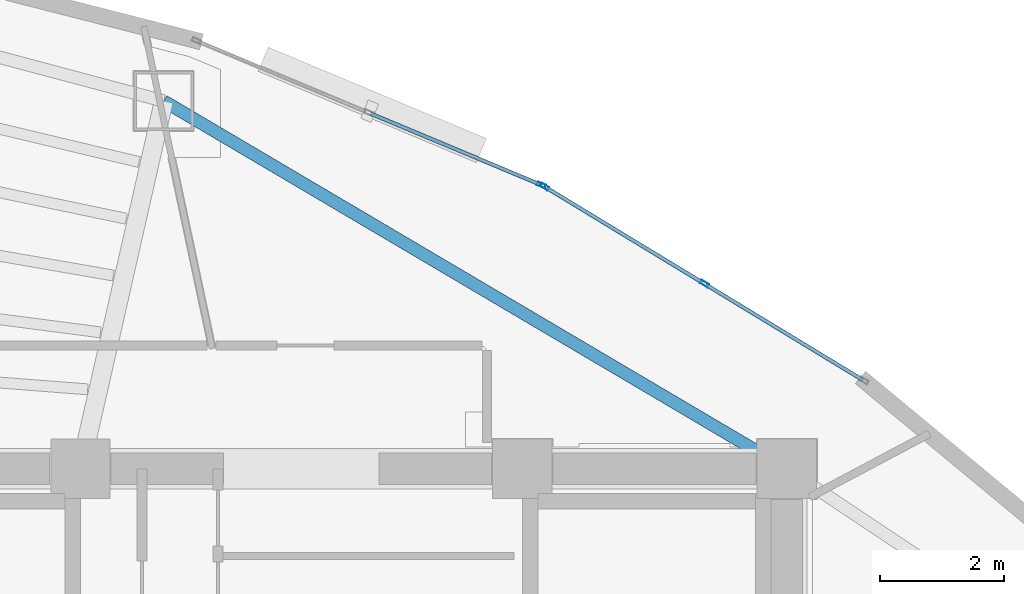
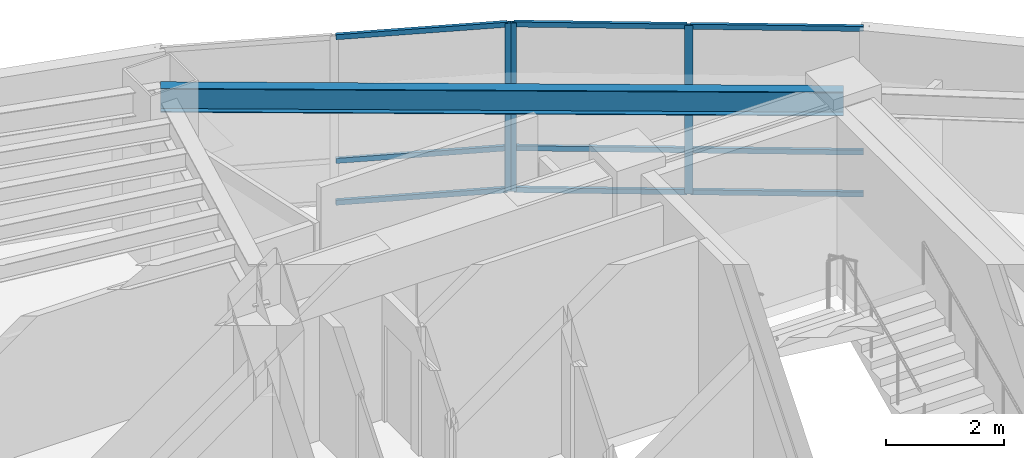
# One storey, part 10 of 15: 12 members, 1 beam, 2 elements without a shape of their own.
"""IFC4 building model written with IfcOpenShell, lengths in metres."""

from ifc_helpers import new_model, si_unit, direction, frame, origin, origin_2d, place, context, subcontext, project, spatial, hollow_rectangle, i_section, extrude, material, layer, layer_set, material_profile, profile_set, type_object, element, aggregate, save


model = new_model("IFC4")

# Units and contexts
model_context = context("Model", 3, precision=1e-05, world=origin(), true_north=direction((0.0, 1.0)))
body_context = subcontext(model_context, "Body", "Model", "MODEL_VIEW")
ifc_project = project(units=[si_unit("LENGTHUNIT", "METRE"), si_unit("AREAUNIT", "SQUARE_METRE"), si_unit("VOLUMEUNIT", "CUBIC_METRE"), si_unit("PLANEANGLEUNIT", "RADIAN"), si_unit("MASSUNIT", "GRAM", prefix="KILO")], contexts=[model_context])

# Site, building, storey
site_placement = place(None, origin())
site = spatial("IfcSite", under=ifc_project, at=site_placement, CompositionType="ELEMENT")
building_placement = place(site_placement, origin())
building = spatial("IfcBuilding", under=site, at=building_placement, Name="Menara Vayukalpa", CompositionType="ELEMENT")
storey_placement = place(building_placement, frame((0.0, 0.0, 226.97998046875)))
storey = spatial("IfcBuildingStorey", under=building, at=storey_placement, Name="L57", CompositionType="ELEMENT", Elevation=226.97998046875)

# Beam
ifc_material_1 = material(Name="Steel S355", Category="steel")
ifc_material_profile_1 = material_profile(ifc_material_1, i_section(OverallWidth=0.199951171875, OverallDepth=0.5, WebThickness=0.010009765625, FlangeThickness=0.01611328125, at=origin_2d()), Name="WF 500x200x10x16")
ifc_profile_set_1 = profile_set([ifc_material_profile_1], Name="Steel S355")
beam_type = type_object("IfcBeamType", Name="BM-SP3", PredefinedType="SPANDREL", material=ifc_profile_set_1)
beam_placement = place(storey_placement, frame((33.39990234375, 26.800048828125, 3.25), z_axis=(-0.861184403346, 0.508292655302, 0.0), x_axis=(-0.508292655302, -0.861184403346, 0.0)))
element("IfcBeam", 1, at=beam_placement, inside=storey, type_object=beam_type, Name="L57 Perimeter Spandrel Beam SP02", PredefinedType="SPANDREL", context=body_context, shape_type="SweptSolid", body=[
    extrude(i_section(OverallWidth=0.199951171875, OverallDepth=0.5, WebThickness=0.010009765625, FlangeThickness=0.01611328125, at=origin_2d()), origin(), (0.0, 0.0, 1.0), 11.6240234375),
])

# Curtain wall, members
ifc_material_2 = material(Name="Anodised Terracotta Aluminium Alloy 6063-T6", Category="masonry")
ifc_layer = layer(ifc_material_2, 0.139892578125)
ifc_layer_set = layer_set([ifc_layer], Name="Anodised Terracotta Aluminium Alloy 6063-T6")
curtain_wall_type = type_object("IfcCurtainWallType", Name="CW-CW5", PredefinedType="USERDEFINED", material=ifc_layer_set)
curtain_wall_1_placement = place(storey_placement, origin())
curtain_wall_1 = element("IfcCurtainWall", 2, at=curtain_wall_1_placement, inside=storey, type_object=curtain_wall_type, Name="L57 High Rise Tapered Curtain Wall CW5 04", ObjectType="UNITISED", PredefinedType="USERDEFINED")
ifc_material_3 = material(Name="Anodised Terracotta Aluminium Alloy 6063-T6", Category="masonry")
ifc_material_profile_2 = material_profile(ifc_material_3, hollow_rectangle(XDim=0.06005859375, YDim=0.139892578125, WallThickness=0.00341796875, at=origin_2d()), Name="ALU 60x140x3.5")
ifc_profile_set_2 = profile_set([ifc_material_profile_2], Name="Anodised Terracotta Aluminium Alloy 6063-T6")
member_type_1 = type_object("IfcMemberType", Name="CWM-CW5", PredefinedType="MULLION", material=ifc_profile_set_2)
member_1_placement = place(storey_placement, frame((32.075439453125, 29.773681640625, 0.0), z_axis=(0.0, 0.0, 1.0), x_axis=(-0.519179911779, -0.854664974832, 0.0)))
member_1 = element("IfcMember", 3, at=member_1_placement, type_object=member_type_1, Name="CW5 mullion 2", PredefinedType="MULLION", context=body_context, shape_type="SweptSolid", body=[
    extrude(hollow_rectangle(XDim=0.06005859375, YDim=0.139892578125, WallThickness=0.00341796875, at=origin_2d()), origin(), (0.0, 0.0, 1.0), 3.5),
])
member_2_placement = place(storey_placement, frame((29.509521484375, 31.33251953125, 0.0), z_axis=(0.0, 0.0, 1.0), x_axis=(-0.519179911779, -0.854664974832, 0.0)))
member_2 = element("IfcMember", 4, at=member_2_placement, type_object=member_type_1, Name="CW5 mullion 3", PredefinedType="MULLION", context=body_context, shape_type="SweptSolid", body=[
    extrude(hollow_rectangle(XDim=0.06005859375, YDim=0.139892578125, WallThickness=0.00341796875, at=origin_2d()), origin(), (0.0, 0.0, 1.0), 3.5),
])

# Curtain wall, member
curtain_wall_2_placement = place(storey_placement, origin())
curtain_wall_2 = element("IfcCurtainWall", 5, at=curtain_wall_2_placement, inside=storey, type_object=curtain_wall_type, Name="L57 High Rise Tapered Curtain Wall CW5 05", ObjectType="UNITISED", PredefinedType="USERDEFINED")
member_3_placement = place(storey_placement, frame((29.4560546875, 31.359619140625, 0.0), z_axis=(0.0, 0.0, 1.0), x_axis=(-0.385902834406, -0.922539431351, 0.0)))
member_3 = element("IfcMember", 6, at=member_3_placement, type_object=member_type_1, Name="CW5 mullion 1", PredefinedType="MULLION", context=body_context, shape_type="SweptSolid", body=[
    extrude(hollow_rectangle(XDim=0.06005859375, YDim=0.139892578125, WallThickness=0.00341796875, at=origin_2d()), origin(), (0.0, 0.0, 1.0), 3.5),
])

# Member
ifc_material_4 = material(Name="Anodised Terracotta Aluminium Alloy 6063-T6", Category="masonry")
ifc_material_profile_3 = material_profile(ifc_material_4, hollow_rectangle(XDim=0.06005859375, YDim=0.10498046875, WallThickness=0.0029296875, at=origin_2d()), Name="ALU 60x105x3")
ifc_profile_set_3 = profile_set([ifc_material_profile_3], Name="Anodised Terracotta Aluminium Alloy 6063-T6")
member_type_2 = type_object("IfcMemberType", Name="CWT-CW5", PredefinedType="USERDEFINED", material=ifc_profile_set_3)
member_4_placement = place(storey_placement, frame((34.615966796875, 28.23046875, 0.030029296875), z_axis=(-0.854683649113, 0.519149169255, 0.0), x_axis=(-0.519149169255, -0.854683649113, 0.0)))
member_4 = element("IfcMember", 7, at=member_4_placement, type_object=member_type_2, Name="CW5 transom 1.1", ObjectType="TRANSOM", PredefinedType="USERDEFINED", context=body_context, shape_type="SweptSolid", body=[
    extrude(hollow_rectangle(XDim=0.06005859375, YDim=0.10498046875, WallThickness=0.0029296875, at=origin_2d()), origin(), (0.0, 0.0, 1.0), 2.9423828125),
])

member_5_placement = place(storey_placement, frame((34.615966796875, 28.23046875, 0.89990234375), z_axis=(-0.854683649113, 0.519149169255, 0.0), x_axis=(-0.519149169255, -0.854683649113, 0.0)))
member_5 = element("IfcMember", 8, at=member_5_placement, type_object=member_type_2, Name="CW5 transom 1.2", ObjectType="TRANSOM", PredefinedType="USERDEFINED", context=body_context, shape_type="SweptSolid", body=[
    extrude(hollow_rectangle(XDim=0.06005859375, YDim=0.10498046875, WallThickness=0.0029296875, at=origin_2d()), origin(), (0.0, 0.0, 1.0), 2.9423828125),
])

member_6_placement = place(storey_placement, frame((34.615966796875, 28.23046875, 3.469970703125), z_axis=(-0.854683649113, 0.519149169255, 0.0), x_axis=(-0.519149169255, -0.854683649113, 0.0)))
member_6 = element("IfcMember", 9, at=member_6_placement, type_object=member_type_2, Name="CW5 transom 1.3", ObjectType="TRANSOM", PredefinedType="USERDEFINED", context=body_context, shape_type="SweptSolid", body=[
    extrude(hollow_rectangle(XDim=0.06005859375, YDim=0.10498046875, WallThickness=0.0029296875, at=origin_2d()), origin(), (0.0, 0.0, 1.0), 2.9423828125),
])

member_7_placement = place(storey_placement, frame((32.0498046875, 29.789306640625, 0.030029296875), z_axis=(-0.85466128475, 0.51918598628, 0.0), x_axis=(-0.51918598628, -0.85466128475, 0.0)))
member_7 = element("IfcMember", 10, at=member_7_placement, type_object=member_type_2, Name="CW5 transom 2.1", ObjectType="TRANSOM", PredefinedType="USERDEFINED", context=body_context, shape_type="SweptSolid", body=[
    extrude(hollow_rectangle(XDim=0.06005859375, YDim=0.10498046875, WallThickness=0.0029296875, at=origin_2d()), origin(), (0.0, 0.0, 1.0), 2.9423828125),
])

member_8_placement = place(storey_placement, frame((32.0498046875, 29.789306640625, 0.89990234375), z_axis=(-0.85466128475, 0.51918598628, 0.0), x_axis=(-0.51918598628, -0.85466128475, 0.0)))
member_8 = element("IfcMember", 11, at=member_8_placement, type_object=member_type_2, Name="CW5 transom 2.2", ObjectType="TRANSOM", PredefinedType="USERDEFINED", context=body_context, shape_type="SweptSolid", body=[
    extrude(hollow_rectangle(XDim=0.06005859375, YDim=0.10498046875, WallThickness=0.0029296875, at=origin_2d()), origin(), (0.0, 0.0, 1.0), 2.9423828125),
])

member_9_placement = place(storey_placement, frame((32.0498046875, 29.789306640625, 3.469970703125), z_axis=(-0.85466128475, 0.51918598628, 0.0), x_axis=(-0.51918598628, -0.85466128475, 0.0)))
member_9 = element("IfcMember", 12, at=member_9_placement, type_object=member_type_2, Name="CW5 transom 2.3", ObjectType="TRANSOM", PredefinedType="USERDEFINED", context=body_context, shape_type="SweptSolid", body=[
    extrude(hollow_rectangle(XDim=0.06005859375, YDim=0.10498046875, WallThickness=0.0029296875, at=origin_2d()), origin(), (0.0, 0.0, 1.0), 2.9423828125),
])

aggregate(curtain_wall_1, [member_1, member_2, member_4, member_5, member_6, member_7, member_8, member_9])

member_10_placement = place(storey_placement, frame((29.428466796875, 31.371337890625, 0.030029296875), z_axis=(-0.922543360613, 0.385893440976, 0.0), x_axis=(-0.385893440976, -0.922543360613, 0.0)))
member_10 = element("IfcMember", 13, at=member_10_placement, type_object=member_type_2, Name="CW5 transom 1.1", ObjectType="TRANSOM", PredefinedType="USERDEFINED", context=body_context, shape_type="SweptSolid", body=[
    extrude(hollow_rectangle(XDim=0.06005859375, YDim=0.10498046875, WallThickness=0.0029296875, at=origin_2d()), origin(), (0.0, 0.0, 1.0), 2.942626953125),
])

member_11_placement = place(storey_placement, frame((29.428466796875, 31.371337890625, 0.89990234375), z_axis=(-0.922543360613, 0.385893440976, 0.0), x_axis=(-0.385893440976, -0.922543360613, 0.0)))
member_11 = element("IfcMember", 14, at=member_11_placement, type_object=member_type_2, Name="CW5 transom 1.2", ObjectType="TRANSOM", PredefinedType="USERDEFINED", context=body_context, shape_type="SweptSolid", body=[
    extrude(hollow_rectangle(XDim=0.06005859375, YDim=0.10498046875, WallThickness=0.0029296875, at=origin_2d()), origin(), (0.0, 0.0, 1.0), 2.942626953125),
])

member_12_placement = place(storey_placement, frame((29.428466796875, 31.371337890625, 3.469970703125), z_axis=(-0.922543360613, 0.385893440976, 0.0), x_axis=(-0.385893440976, -0.922543360613, 0.0)))
member_12 = element("IfcMember", 15, at=member_12_placement, type_object=member_type_2, Name="CW5 transom 1.3", ObjectType="TRANSOM", PredefinedType="USERDEFINED", context=body_context, shape_type="SweptSolid", body=[
    extrude(hollow_rectangle(XDim=0.06005859375, YDim=0.10498046875, WallThickness=0.0029296875, at=origin_2d()), origin(), (0.0, 0.0, 1.0), 2.942626953125),
])

aggregate(curtain_wall_2, [member_3, member_10, member_11, member_12])

save(model, "model.ifc")
